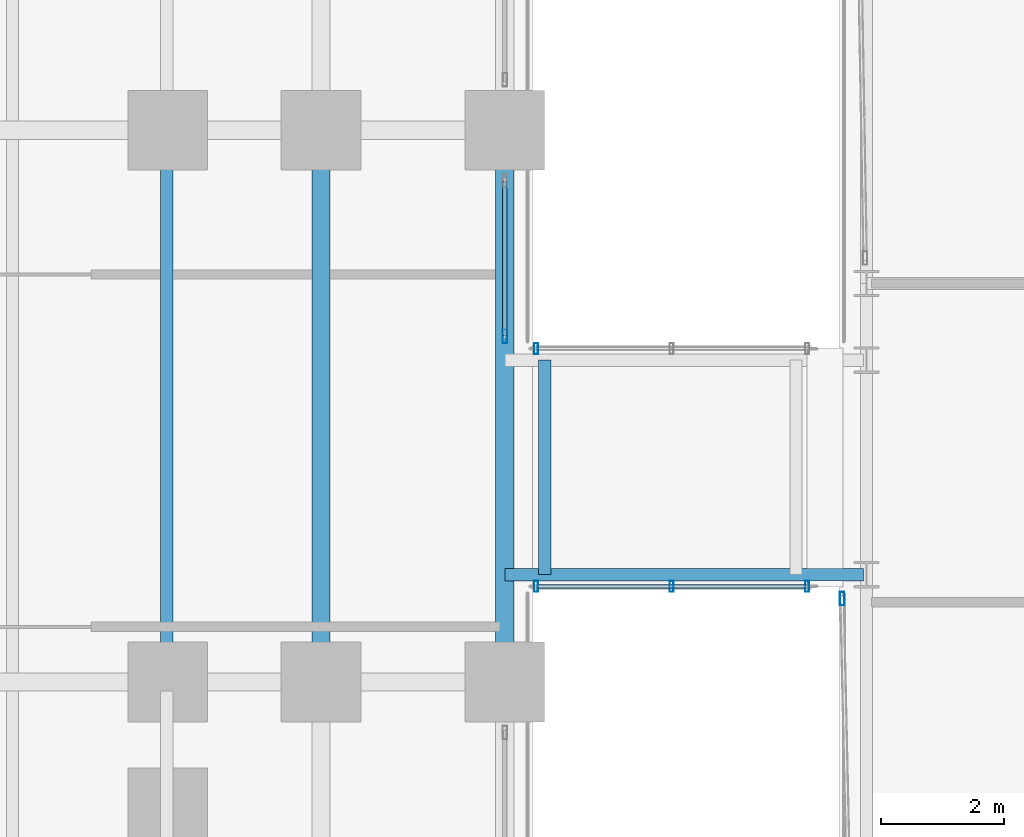
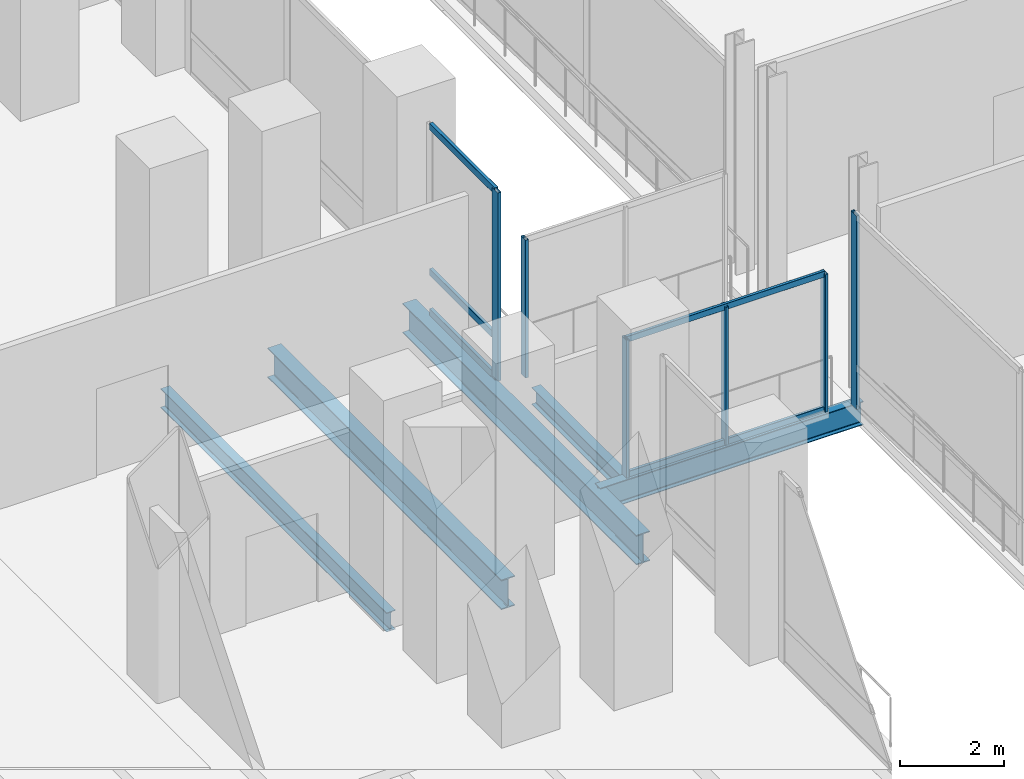
# One storey, part 14 of 30: 11 members, 5 beams, 4 elements without a shape of their own.
"""IFC4 building model written with IfcOpenShell, lengths in metres."""

from ifc_helpers import new_model, si_unit, direction, frame, origin, origin_2d, place, context, subcontext, project, spatial, hollow_rectangle, i_section, extrude, material, material_profile, profile_set, type_object, element, aggregate, save


model = new_model("IFC4")

# Units and contexts
model_context = context("Model", 3, precision=1e-05, world=origin(), true_north=direction((0.0, 1.0)))
body_context = subcontext(model_context, "Body", "Model", "MODEL_VIEW")
ifc_project = project(units=[si_unit("LENGTHUNIT", "METRE"), si_unit("AREAUNIT", "SQUARE_METRE"), si_unit("VOLUMEUNIT", "CUBIC_METRE"), si_unit("PLANEANGLEUNIT", "RADIAN"), si_unit("MASSUNIT", "GRAM", prefix="KILO")], contexts=[model_context])

# Site, building, storey
site_placement = place(None, origin())
site = spatial("IfcSite", under=ifc_project, at=site_placement, CompositionType="ELEMENT")
building_placement = place(site_placement, origin())
building = spatial("IfcBuilding", under=site, at=building_placement, Name="Noeulbin Bourse Tower", CompositionType="ELEMENT")
storey_placement = place(building_placement, frame((0.0, 0.0, 16.60009765625)))
storey = spatial("IfcBuildingStorey", under=building, at=storey_placement, Name="L04", CompositionType="ELEMENT", Elevation=16.60009765625)

# Beams
ifc_material_1 = material(Name="Steel S355", Category="steel")
ifc_material_profile_1 = material_profile(ifc_material_1, i_section(OverallWidth=0.199951171875, OverallDepth=0.550048828125, WebThickness=0.010009765625, FlangeThickness=0.01611328125, FilletRadius=0.02001953125, at=origin_2d()), Name="H-550x200x10x16", Category="LoadBearing")
ifc_profile_set_1 = profile_set([ifc_material_profile_1], Name="Steel S355")
beam_type_1 = type_object("IfcBeamType", Name="BM-GRD-550", PredefinedType="USERDEFINED", material=ifc_profile_set_1)
beam_1_placement = place(storey_placement, frame((54.550048828125, 21.75, -0.47509765625), z_axis=(1.0, 0.0, 0.0), x_axis=(0.0, 1.0, 0.0)))
element("IfcBeam", 1, at=beam_1_placement, inside=storey, type_object=beam_type_1, Name="Link Bridge Girder L04-1", ObjectType="GIRDER", PredefinedType="USERDEFINED", context=body_context, shape_type="SweptSolid", body=[
    extrude(i_section(OverallWidth=0.199951171875, OverallDepth=0.550048828125, WebThickness=0.010009765625, FlangeThickness=0.01611328125, FilletRadius=0.02001953125, at=origin_2d()), origin(), (0.0, 0.0, 1.0), 5.849853515625),
])
ifc_material_profile_2 = material_profile(ifc_material_1, i_section(OverallWidth=0.300048828125, OverallDepth=0.699951171875, WebThickness=0.012939453125, FlangeThickness=0.02392578125, FilletRadius=0.02392578125, at=origin_2d()), Name="H-700x300x13x24", Category="LoadBearing")
ifc_profile_set_2 = profile_set([ifc_material_profile_2], Name="Steel S355")
beam_type_2 = type_object("IfcBeamType", Name="BM-GRD-700", PredefinedType="USERDEFINED", material=ifc_profile_set_2)
for number, where, z_axis, x_axis, name in (
    (2, (51.550048828125, 20.0, -0.60009765625), (0.0, 1.0, 0.0), (-1.0, 0.0, 0.0), "Podium Primary Girder NS L04-098"),
    (3, (54.550048828125, 20.0, -0.60009765625), (0.0, 1.0, 0.0), (-1.0, 0.0, 0.0), "Podium Primary Girder NS L04-104"),
):
    element("IfcBeam", number, at=place(storey_placement, frame(where, z_axis=z_axis, x_axis=x_axis)), inside=storey, type_object=beam_type_2, Name=name, ObjectType="GIRDER", PredefinedType="USERDEFINED", context=body_context, shape_type="SweptSolid", body=[
        extrude(i_section(OverallWidth=0.300048828125, OverallDepth=0.699951171875, WebThickness=0.012939453125, FlangeThickness=0.02392578125, FilletRadius=0.02392578125, at=origin_2d()), origin(), (0.0, 0.0, 1.0), 9.0),
    ])
ifc_material_profile_3 = material_profile(ifc_material_1, i_section(OverallWidth=0.199951171875, OverallDepth=0.39990234375, WebThickness=0.008056640625, FlangeThickness=0.012939453125, FilletRadius=0.01611328125, at=origin_2d()), Name="H-400x200x8x13", Category="LoadBearing")
ifc_profile_set_3 = profile_set([ifc_material_profile_3], Name="Steel S355")
beam_type_3 = type_object("IfcBeamType", Name="BM-SEC-400", PredefinedType="BEAM", material=ifc_profile_set_3)
beam_2_placement = place(storey_placement, frame((55.199951171875, 21.75, -0.400146484375), z_axis=(0.0, 1.0, 0.0), x_axis=(-1.0, 0.0, 0.0)))
element("IfcBeam", 4, at=beam_2_placement, inside=storey, type_object=beam_type_3, Name="BM-L04-BRGX-1", PredefinedType="BEAM", context=body_context, shape_type="SweptSolid", body=[
    extrude(i_section(OverallWidth=0.199951171875, OverallDepth=0.39990234375, WebThickness=0.008056640625, FlangeThickness=0.012939453125, FilletRadius=0.01611328125, at=origin_2d()), origin(), (0.0, 0.0, 1.0), 3.5),
])
ifc_material_profile_4 = material_profile(ifc_material_1, i_section(OverallWidth=0.199951171875, OverallDepth=0.449951171875, WebThickness=0.009033203125, FlangeThickness=0.013916015625, FilletRadius=0.01806640625, at=origin_2d()), Name="H-450x200x9x14", Category="LoadBearing")
ifc_profile_set_4 = profile_set([ifc_material_profile_4], Name="Steel S355")
beam_type_4 = type_object("IfcBeamType", Name="BM-SEC-450", PredefinedType="BEAM", material=ifc_profile_set_4)
beam_3_placement = place(storey_placement, frame((49.033203125, 20.14990234375, -0.47509765625), z_axis=(0.0, 1.0, 0.0), x_axis=(-1.0, 0.0, 0.0)))
element("IfcBeam", 5, at=beam_3_placement, inside=storey, type_object=beam_type_4, Name="Podium Secondary Beam L04-081", PredefinedType="BEAM", context=body_context, shape_type="SweptSolid", body=[
    extrude(i_section(OverallWidth=0.199951171875, OverallDepth=0.449951171875, WebThickness=0.009033203125, FlangeThickness=0.013916015625, FilletRadius=0.01806640625, at=origin_2d()), origin(), (0.0, 0.0, 1.0), 8.7001953125),
])

# Curtain wall, member
ifc_material_2 = material(Name="Laminated Clear Low-E Glass", Category="glass")
curtain_wall_type_1 = type_object("IfcCurtainWallType", Name="CW-SYS-1", PredefinedType="NOTDEFINED", material=ifc_material_2)
curtain_wall_1_placement = place(storey_placement, origin())
curtain_wall_1 = element("IfcCurtainWall", 6, at=curtain_wall_1_placement, inside=storey, type_object=curtain_wall_type_1, Name="Unitised Curtain Wall CW-L04-POD-E2-S1", PredefinedType="NOTDEFINED")
ifc_material_3 = material(Name="Anodised Aluminium 6063-T6", Category="aluminium")
ifc_material_profile_5 = material_profile(ifc_material_3, hollow_rectangle(XDim=0.074951171875, YDim=0.219970703125, WallThickness=0.0048828125, InnerFilletRadius=0.00244140625, OuterFilletRadius=0.0048828125, at=origin_2d()), Name="ALU-MULL-75x220x5", Category="LoadBearing")
ifc_profile_set_5 = profile_set([ifc_material_profile_5], Name="Anodised Aluminium 6063-T6")
member_type_1 = type_object("IfcMemberType", Name="CW-SYS-1-MUL", PredefinedType="MULLION", material=ifc_profile_set_5)
member_1_placement = place(storey_placement, frame((54.550048828125, 25.639892578125, -0.02001953125), z_axis=(0.0, 0.0, 1.0), x_axis=(1.0, 0.0, 0.0)))
member_1 = element("IfcMember", 7, at=member_1_placement, type_object=member_type_1, Name="Curtain Wall Mullion CW-L04-POD-E2-S1-M00", PredefinedType="MULLION", context=body_context, shape_type="SweptSolid", body=[
    extrude(hollow_rectangle(XDim=0.074951171875, YDim=0.219970703125, WallThickness=0.0048828125, InnerFilletRadius=0.00244140625, OuterFilletRadius=0.0048828125, at=origin_2d()), origin(), (0.0, 0.0, 1.0), 4.419921875),
])

curtain_wall_2_placement = place(storey_placement, origin())
curtain_wall_2 = element("IfcCurtainWall", 8, at=curtain_wall_2_placement, inside=storey, type_object=curtain_wall_type_1, Name="Unitised Curtain Wall CW-L04-MKT-W1-S2", PredefinedType="NOTDEFINED")
member_2_placement = place(storey_placement, frame((60.05078125, 21.360107421875, -0.02001953125), z_axis=(0.0, 0.0, 1.0), x_axis=(1.0, 0.0, 0.0)))
member_2 = element("IfcMember", 9, at=member_2_placement, type_object=member_type_1, Name="Curtain Wall Mullion CW-L04-MKT-W1-S2-M01", PredefinedType="MULLION", context=body_context, shape_type="SweptSolid", body=[
    extrude(hollow_rectangle(XDim=0.074951171875, YDim=0.219970703125, WallThickness=0.0048828125, InnerFilletRadius=0.00244140625, OuterFilletRadius=0.0048828125, at=origin_2d()), origin(), (0.0, 0.0, 1.0), 4.5498046875),
])
aggregate(curtain_wall_2, [member_2])

# Member
ifc_material_profile_6 = material_profile(ifc_material_3, hollow_rectangle(XDim=0.074951171875, YDim=0.159912109375, WallThickness=0.0048828125, InnerFilletRadius=0.00244140625, OuterFilletRadius=0.0048828125, at=origin_2d()), Name="ALU-TRAN-75x160x5", Category="LoadBearing")
ifc_profile_set_6 = profile_set([ifc_material_profile_6], Name="Anodised Aluminium 6063-T6")
member_type_2 = type_object("IfcMemberType", Name="CW-SYS-1-TRN", PredefinedType="USERDEFINED", material=ifc_profile_set_6)
member_3_placement = place(storey_placement, frame((54.550048828125, 25.64990234375, 0.010009765625), z_axis=(0.0, 1.0, 0.0), x_axis=(-1.0, 0.0, 0.0)))
member_3 = element("IfcMember", 10, at=member_3_placement, type_object=member_type_2, Name="Curtain Wall Transom CW-L04-POD-E2-S1-T00", ObjectType="TRANSOM", PredefinedType="USERDEFINED", context=body_context, shape_type="SweptSolid", body=[
    extrude(hollow_rectangle(XDim=0.074951171875, YDim=0.159912109375, WallThickness=0.0048828125, InnerFilletRadius=0.00244140625, OuterFilletRadius=0.0048828125, at=origin_2d()), origin(), (0.0, 0.0, 1.0), 2.51513671875),
])

member_4_placement = place(storey_placement, frame((54.550048828125, 25.64990234375, 0.949951171875), z_axis=(0.0, 1.0, 0.0), x_axis=(-1.0, 0.0, 0.0)))
member_4 = element("IfcMember", 11, at=member_4_placement, type_object=member_type_2, Name="Curtain Wall Transom CW-L04-POD-E2-S1-T01", ObjectType="TRANSOM", PredefinedType="USERDEFINED", context=body_context, shape_type="SweptSolid", body=[
    extrude(hollow_rectangle(XDim=0.074951171875, YDim=0.159912109375, WallThickness=0.0048828125, InnerFilletRadius=0.00244140625, OuterFilletRadius=0.0048828125, at=origin_2d()), origin(), (0.0, 0.0, 1.0), 2.51513671875),
])

member_5_placement = place(storey_placement, frame((54.550048828125, 25.64990234375, 4.369873046875), z_axis=(0.0, 1.0, 0.0), x_axis=(-1.0, 0.0, 0.0)))
member_5 = element("IfcMember", 12, at=member_5_placement, type_object=member_type_2, Name="Curtain Wall Transom CW-L04-POD-E2-S1-T02", ObjectType="TRANSOM", PredefinedType="USERDEFINED", context=body_context, shape_type="SweptSolid", body=[
    extrude(hollow_rectangle(XDim=0.074951171875, YDim=0.159912109375, WallThickness=0.0048828125, InnerFilletRadius=0.00244140625, OuterFilletRadius=0.0048828125, at=origin_2d()), origin(), (0.0, 0.0, 1.0), 2.51513671875),
])

aggregate(curtain_wall_1, [member_1, member_3, member_4, member_5])

# Curtain wall, members
ifc_material_4 = material(Name="Acoustic Laminated Skylight Glazing", Category="glass")
curtain_wall_type_2 = type_object("IfcCurtainWallType", Name="CW-SYS-6", PredefinedType="NOTDEFINED", material=ifc_material_4)
curtain_wall_3_placement = place(storey_placement, origin())
curtain_wall_3 = element("IfcCurtainWall", 13, at=curtain_wall_3_placement, inside=storey, type_object=curtain_wall_type_2, Name="Unitised Curtain Wall CW-L04-BRG-S", PredefinedType="NOTDEFINED")
ifc_material_profile_7 = material_profile(ifc_material_3, hollow_rectangle(XDim=0.06494140625, YDim=0.179931640625, WallThickness=0.00390625, InnerFilletRadius=0.001953125, OuterFilletRadius=0.00390625, at=origin_2d()), Name="ALU-MULL-65x180x4", Category="LoadBearing")
ifc_profile_set_7 = profile_set([ifc_material_profile_7], Name="Anodised Aluminium 6063-T6")
member_type_3 = type_object("IfcMemberType", Name="CW-SYS-6-MUL", PredefinedType="MULLION", material=ifc_profile_set_7)
member_6_placement = place(storey_placement, frame((55.06005859375, 21.56005859375, -0.02001953125), z_axis=(0.0, 0.0, 1.0), x_axis=(1.0, 0.0, 0.0)))
member_6 = element("IfcMember", 14, at=member_6_placement, type_object=member_type_3, Name="Curtain Wall Mullion CW-L04-BRG-S-M00", PredefinedType="MULLION", context=body_context, shape_type="SweptSolid", body=[
    extrude(hollow_rectangle(XDim=0.06494140625, YDim=0.179931640625, WallThickness=0.00390625, InnerFilletRadius=0.001953125, OuterFilletRadius=0.00390625, at=origin_2d()), origin(), (0.0, 0.0, 1.0), 3.239990234375),
])
member_7_placement = place(storey_placement, frame((57.27001953125, 21.56005859375, -0.02001953125), z_axis=(0.0, 0.0, 1.0), x_axis=(1.0, 0.0, 0.0)))
member_7 = element("IfcMember", 15, at=member_7_placement, type_object=member_type_3, Name="Curtain Wall Mullion CW-L04-BRG-S-M01", PredefinedType="MULLION", context=body_context, shape_type="SweptSolid", body=[
    extrude(hollow_rectangle(XDim=0.06494140625, YDim=0.179931640625, WallThickness=0.00390625, InnerFilletRadius=0.001953125, OuterFilletRadius=0.00390625, at=origin_2d()), origin(), (0.0, 0.0, 1.0), 3.239990234375),
])
member_8_placement = place(storey_placement, frame((59.47998046875, 21.56005859375, -0.02001953125), z_axis=(0.0, 0.0, 1.0), x_axis=(1.0, 0.0, 0.0)))
member_8 = element("IfcMember", 16, at=member_8_placement, type_object=member_type_3, Name="Curtain Wall Mullion CW-L04-BRG-S-M02", PredefinedType="MULLION", context=body_context, shape_type="SweptSolid", body=[
    extrude(hollow_rectangle(XDim=0.06494140625, YDim=0.179931640625, WallThickness=0.00390625, InnerFilletRadius=0.001953125, OuterFilletRadius=0.00390625, at=origin_2d()), origin(), (0.0, 0.0, 1.0), 3.239990234375),
])

# Curtain wall, member
curtain_wall_4_placement = place(storey_placement, origin())
curtain_wall_4 = element("IfcCurtainWall", 17, at=curtain_wall_4_placement, inside=storey, type_object=curtain_wall_type_2, Name="Unitised Curtain Wall CW-L04-BRG-N", PredefinedType="NOTDEFINED")
member_9_placement = place(storey_placement, frame((55.06005859375, 25.43994140625, -0.02001953125), z_axis=(0.0, 0.0, 1.0), x_axis=(1.0, 0.0, 0.0)))
member_9 = element("IfcMember", 18, at=member_9_placement, type_object=member_type_3, Name="Curtain Wall Mullion CW-L04-BRG-N-M00", PredefinedType="MULLION", context=body_context, shape_type="SweptSolid", body=[
    extrude(hollow_rectangle(XDim=0.06494140625, YDim=0.179931640625, WallThickness=0.00390625, InnerFilletRadius=0.001953125, OuterFilletRadius=0.00390625, at=origin_2d()), origin(), (0.0, 0.0, 1.0), 3.239990234375),
])
aggregate(curtain_wall_4, [member_9])

# Member
ifc_material_profile_8 = material_profile(ifc_material_3, hollow_rectangle(XDim=0.06494140625, YDim=0.139892578125, WallThickness=0.00390625, InnerFilletRadius=0.001953125, OuterFilletRadius=0.00390625, at=origin_2d()), Name="ALU-TRAN-65x140x4", Category="LoadBearing")
ifc_profile_set_8 = profile_set([ifc_material_profile_8], Name="Anodised Aluminium 6063-T6")
member_type_4 = type_object("IfcMemberType", Name="CW-SYS-6-TRN", PredefinedType="USERDEFINED", material=ifc_profile_set_8)
member_10_placement = place(storey_placement, frame((55.070068359375, 21.56005859375, 0.010009765625), z_axis=(1.0, 0.0, 0.0), x_axis=(0.0, 1.0, 0.0)))
member_10 = element("IfcMember", 19, at=member_10_placement, type_object=member_type_4, Name="Curtain Wall Transom CW-L04-BRG-S-T00", ObjectType="TRANSOM", PredefinedType="USERDEFINED", context=body_context, shape_type="SweptSolid", body=[
    extrude(hollow_rectangle(XDim=0.06494140625, YDim=0.139892578125, WallThickness=0.00390625, InnerFilletRadius=0.001953125, OuterFilletRadius=0.00390625, at=origin_2d()), origin(), (0.0, 0.0, 1.0), 4.39990234375),
])

member_11_placement = place(storey_placement, frame((55.070068359375, 21.56005859375, 3.18994140625), z_axis=(1.0, 0.0, 0.0), x_axis=(0.0, 1.0, 0.0)))
member_11 = element("IfcMember", 20, at=member_11_placement, type_object=member_type_4, Name="Curtain Wall Transom CW-L04-BRG-S-T01", ObjectType="TRANSOM", PredefinedType="USERDEFINED", context=body_context, shape_type="SweptSolid", body=[
    extrude(hollow_rectangle(XDim=0.06494140625, YDim=0.139892578125, WallThickness=0.00390625, InnerFilletRadius=0.001953125, OuterFilletRadius=0.00390625, at=origin_2d()), origin(), (0.0, 0.0, 1.0), 4.39990234375),
])

aggregate(curtain_wall_3, [member_6, member_7, member_8, member_10, member_11])

save(model, "model.ifc")
